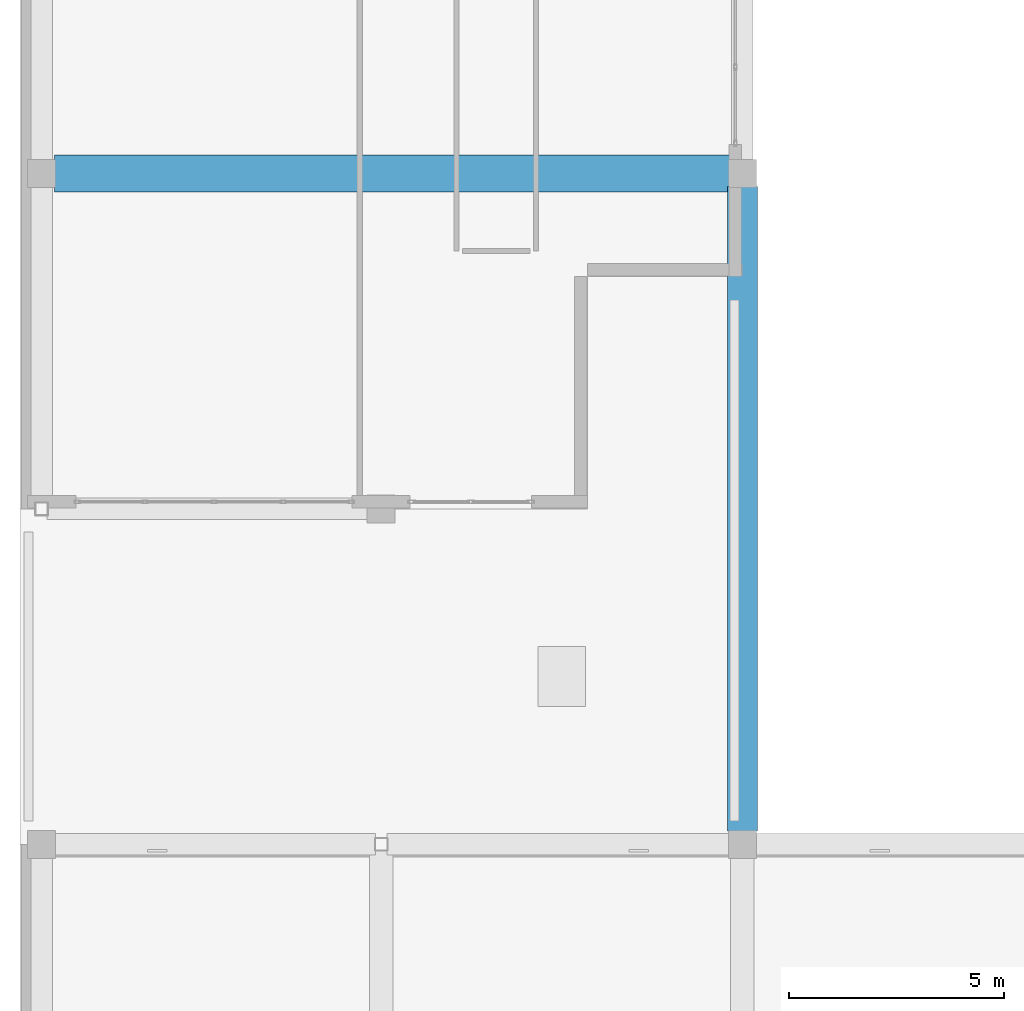
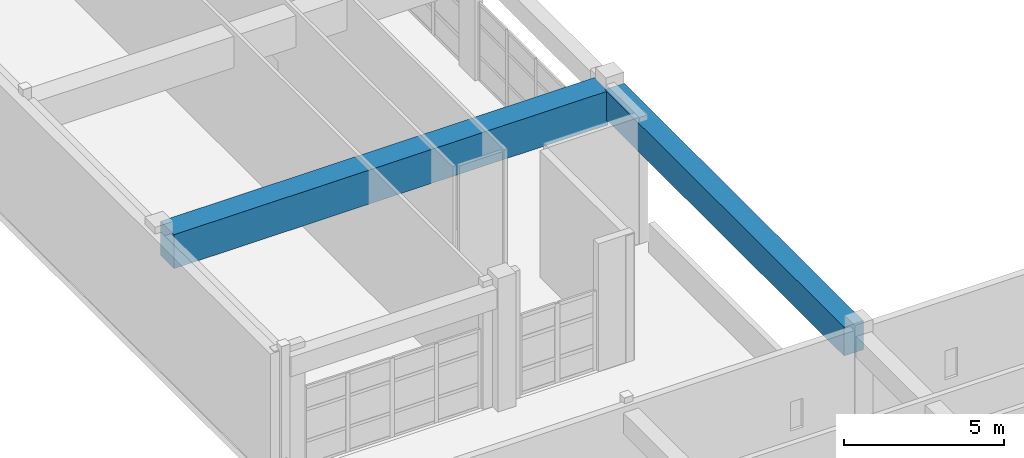
# One storey, part 12 of 78: 2 beams.
"""IFC4 building model written with IfcOpenShell, lengths in metres."""

from ifc_helpers import new_model, si_unit, direction, frame, origin, origin_2d, place, context, subcontext, project, spatial, rectangle, extrude, material, material_profile, profile_set, type_object, element, save


model = new_model("IFC4")

# Units and contexts
model_context = context("Model", 3, precision=1e-05, world=origin(), true_north=direction((0.0, 1.0)))
body_context = subcontext(model_context, "Body", "Model", "MODEL_VIEW")
ifc_project = project(units=[si_unit("LENGTHUNIT", "METRE"), si_unit("AREAUNIT", "SQUARE_METRE"), si_unit("VOLUMEUNIT", "CUBIC_METRE"), si_unit("PLANEANGLEUNIT", "RADIAN"), si_unit("MASSUNIT", "GRAM", prefix="KILO")], contexts=[model_context])

# Site, building, storey
site_placement = place(None, origin())
site = spatial("IfcSite", under=ifc_project, at=site_placement, CompositionType="ELEMENT")
building_placement = place(site_placement, origin())
building = spatial("IfcBuilding", under=site, at=building_placement, Name="Quendrovan Civic Courthouse", CompositionType="ELEMENT")
storey_placement = place(building_placement, frame((0.0, 0.0, 20.39990234375)))
storey = spatial("IfcBuildingStorey", under=building, at=storey_placement, Name="L05", CompositionType="ELEMENT", Elevation=20.39990234375)

# Beams
ifc_material = material(Name="Post-tensioned concrete C50/60", Category="concrete")
ifc_material_profile_1 = material_profile(ifc_material, rectangle(XDim=0.699951171875, YDim=1.10009765625, at=origin_2d()), Name="PT-GIRD-700x1100")
ifc_profile_set_1 = profile_set([ifc_material_profile_1], Name="Post-tensioned concrete C50/60")
beam_type_1 = type_object("IfcBeamType", Name="BM-PT1100", PredefinedType="BEAM", material=ifc_profile_set_1)
beam_1_placement = place(storey_placement, frame((16.800048828125, 15.905029296875, 4.110107421875), z_axis=(0.0, 1.0, 0.0), x_axis=(-1.0, 0.0, 0.0)))
element("IfcBeam", 1, at=beam_1_placement, inside=storey, type_object=beam_type_1, Name="L05 Girder Y1065", PredefinedType="BEAM", context=body_context, shape_type="SweptSolid", body=[
    extrude(rectangle(XDim=0.699951171875, YDim=1.10009765625, at=origin_2d()), origin(), (0.0, 0.0, 1.0), 14.989990234375),
])
ifc_material_profile_2 = material_profile(ifc_material, rectangle(XDim=0.85009765625, YDim=1.300048828125, at=origin_2d()), Name="PT-GRD-850x1300")
ifc_profile_set_2 = profile_set([ifc_material_profile_2], Name="Post-tensioned concrete C50/60")
beam_type_2 = type_object("IfcBeamType", Name="BM-PT1300", PredefinedType="BEAM", material=ifc_profile_set_2)
beam_2_placement = place(storey_placement, frame((0.804931640625, 31.199951171875, 4.010009765625), z_axis=(1.0, 0.0, 0.0), x_axis=(0.0, 1.0, 0.0)))
element("IfcBeam", 2, at=beam_2_placement, inside=storey, type_object=beam_type_2, Name="L05 Girder X1024", PredefinedType="BEAM", context=body_context, shape_type="SweptSolid", body=[
    extrude(rectangle(XDim=0.85009765625, YDim=1.300048828125, at=origin_2d()), origin(), (0.0, 0.0, 1.0), 15.690185546875),
])

save(model, "model.ifc")
